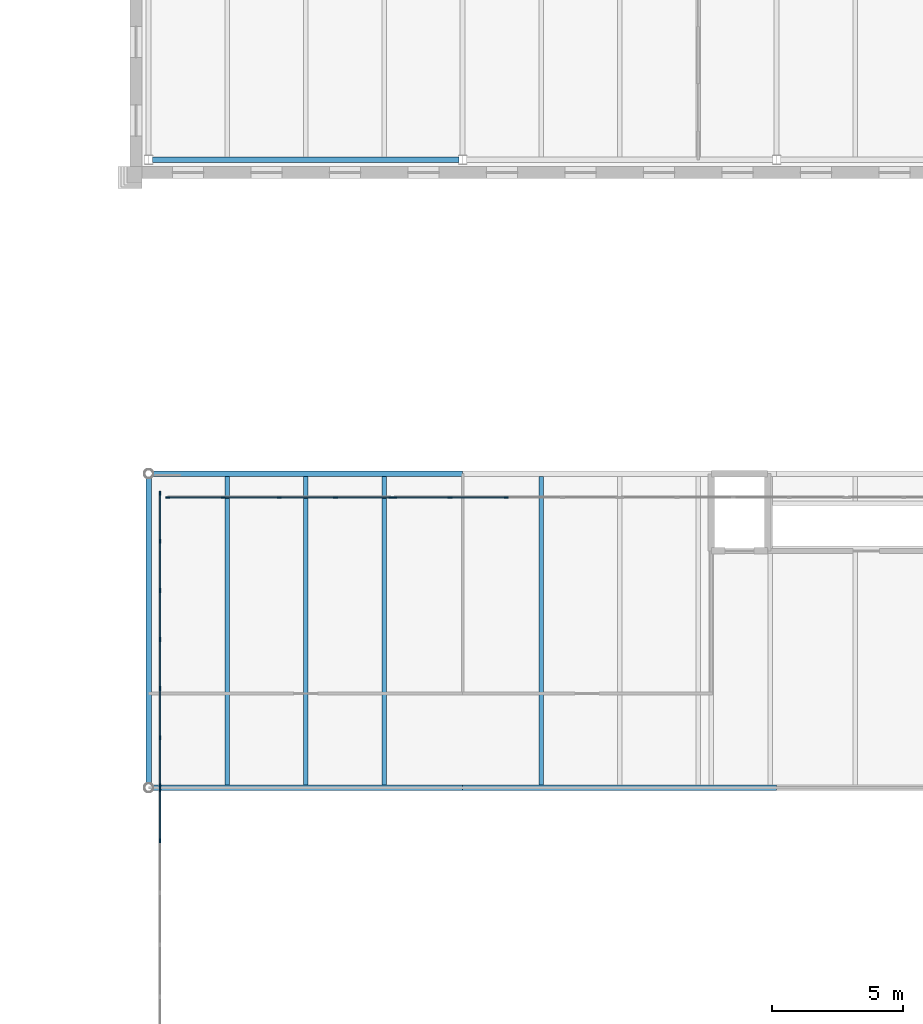
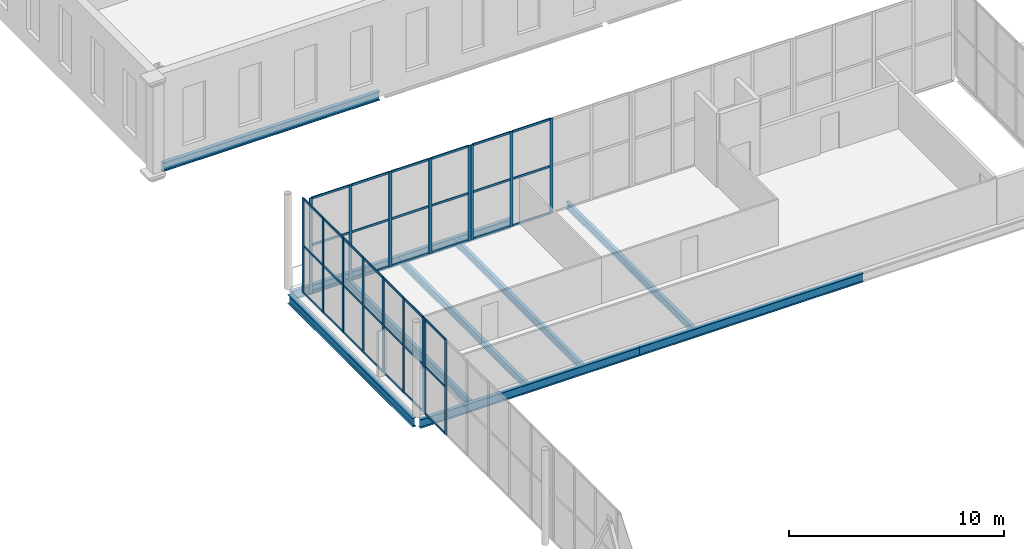
# One storey, part 81 of 170: 56 members, 9 beams, 4 elements without a shape of their own.
"""IFC4 building model written with IfcOpenShell, lengths in metres."""

from ifc_helpers import new_model, si_unit, direction, frame, origin, origin_2d, place, context, subcontext, project, spatial, rectangle, i_section, extrude, material, layer, layer_set, material_profile, profile_set, type_object, element, aggregate, save


model = new_model("IFC4")

# Units and contexts
model_context = context("Model", 3, precision=1e-05, world=origin(), true_north=direction((0.0, 1.0)))
body_context = subcontext(model_context, "Body", "Model", "MODEL_VIEW")
ifc_project = project(units=[si_unit("LENGTHUNIT", "METRE"), si_unit("AREAUNIT", "SQUARE_METRE"), si_unit("VOLUMEUNIT", "CUBIC_METRE"), si_unit("PLANEANGLEUNIT", "RADIAN"), si_unit("MASSUNIT", "GRAM", prefix="KILO")], contexts=[model_context])

# Site, building, storey
site_placement = place(None, origin())
site = spatial("IfcSite", under=ifc_project, at=site_placement, CompositionType="ELEMENT")
building_placement = place(site_placement, origin())
building = spatial("IfcBuilding", under=site, at=building_placement, Name="Ravi Spectrum Wholesale Market", CompositionType="ELEMENT")
storey_placement = place(building_placement, frame((0.0, 0.0, 5.39990234375)))
storey = spatial("IfcBuildingStorey", under=building, at=storey_placement, Name="L01", CompositionType="ELEMENT", Elevation=5.39990234375)

# Beams
ifc_material_1 = material(Name="Steel S355", Category="steel")
ifc_material_profile_1 = material_profile(ifc_material_1, i_section(OverallWidth=0.179931640625, OverallDepth=0.39990234375, WebThickness=0.008544921875, FlangeThickness=0.013427734375, at=origin_2d()))
ifc_profile_set_1 = profile_set([ifc_material_profile_1], Name="Steel S355")
beam_type_1 = type_object("IfcBeamType", Name="IPE 400 beam", PredefinedType="BEAM", material=ifc_profile_set_1)
for number, where, z_axis, x_axis, name in (
    (1, (165.0, 174.10009765625, -0.449951171875), (0.0, 1.0, 0.0), (-1.0, 0.0, 0.0), "H3-BM-L01-009"),
    (2, (168.0, 174.10009765625, -0.449951171875), (0.0, 1.0, 0.0), (-1.0, 0.0, 0.0), "H3-BM-L01-010"),
    (3, (171.0, 174.10009765625, -0.449951171875), (0.0, 1.0, 0.0), (-1.0, 0.0, 0.0), "H3-BM-L01-011"),
    (4, (177.0, 174.10009765625, -0.449951171875), (0.0, 1.0, 0.0), (-1.0, 0.0, 0.0), "H3-BM-L01-012"),
):
    element("IfcBeam", number, at=place(storey_placement, frame(where, z_axis=z_axis, x_axis=x_axis)), inside=storey, type_object=beam_type_1, Name=name, PredefinedType="BEAM", context=body_context, shape_type="SweptSolid", body=[
        extrude(i_section(OverallWidth=0.179931640625, OverallDepth=0.39990234375, WebThickness=0.008544921875, FlangeThickness=0.013427734375, at=origin_2d()), origin(), (0.0, 0.0, 1.0), 11.7998046875),
    ])
ifc_material_2 = material(Name="Steel S355", Category="steel")
ifc_material_profile_2 = material_profile(ifc_material_2, i_section(OverallWidth=0.199951171875, OverallDepth=0.5, WebThickness=0.01025390625, FlangeThickness=0.01611328125, at=origin_2d()))
ifc_profile_set_2 = profile_set([ifc_material_profile_2], Name="Steel S355")
beam_type_2 = type_object("IfcBeamType", Name="IPE 500 beam", PredefinedType="BEAM", material=ifc_profile_set_2)
beam_1_placement = place(storey_placement, frame((162.14990234375, 198.0, -0.449951171875), z_axis=(1.0, 0.0, 0.0), x_axis=(0.0, 1.0, 0.0)))
element("IfcBeam", 5, at=beam_1_placement, inside=storey, type_object=beam_type_2, Name="AU-BM-L01-001", PredefinedType="BEAM", context=body_context, shape_type="SweptSolid", body=[
    extrude(i_section(OverallWidth=0.199951171875, OverallDepth=0.5, WebThickness=0.01025390625, FlangeThickness=0.01611328125, at=origin_2d()), origin(), (0.0, 0.0, 1.0), 11.7001953125),
])
ifc_material_3 = material(Name="Steel S355", Category="steel")
ifc_material_profile_3 = material_profile(ifc_material_3, i_section(OverallWidth=0.199951171875, OverallDepth=0.5, WebThickness=0.01025390625, FlangeThickness=0.01611328125, at=origin_2d()))
ifc_profile_set_3 = profile_set([ifc_material_profile_3], Name="Steel S355")
beam_type_3 = type_object("IfcBeamType", Name="IPE 500 girder", PredefinedType="BEAM", material=ifc_profile_set_3)
beam_2_placement = place(storey_placement, frame((162.177734375, 174.0, -0.5), z_axis=(1.0, 0.0, 0.0), x_axis=(0.0, 1.0, 0.0)))
element("IfcBeam", 6, at=beam_2_placement, inside=storey, type_object=beam_type_3, Name="H3-BM-L01-001", PredefinedType="BEAM", context=body_context, shape_type="SweptSolid", body=[
    extrude(i_section(OverallWidth=0.199951171875, OverallDepth=0.5, WebThickness=0.01025390625, FlangeThickness=0.01611328125, at=origin_2d()), origin(), (0.0, 0.0, 1.0), 11.822265625),
])
beam_3_placement = place(storey_placement, frame((174.0, 174.0, -0.5), z_axis=(1.0, 0.0, 0.0), x_axis=(0.0, 1.0, 0.0)))
element("IfcBeam", 7, at=beam_3_placement, inside=storey, type_object=beam_type_3, Name="H3-BM-L01-002", PredefinedType="BEAM", context=body_context, shape_type="SweptSolid", body=[
    extrude(i_section(OverallWidth=0.199951171875, OverallDepth=0.5, WebThickness=0.01025390625, FlangeThickness=0.01611328125, at=origin_2d()), origin(), (0.0, 0.0, 1.0), 12.0),
])
beam_4_placement = place(storey_placement, frame((162.177734375, 186.0, -0.5), z_axis=(1.0, 0.0, 0.0), x_axis=(0.0, 1.0, 0.0)))
element("IfcBeam", 8, at=beam_4_placement, inside=storey, type_object=beam_type_3, Name="H3-BM-L01-004", PredefinedType="BEAM", context=body_context, shape_type="SweptSolid", body=[
    extrude(i_section(OverallWidth=0.199951171875, OverallDepth=0.5, WebThickness=0.01025390625, FlangeThickness=0.01611328125, at=origin_2d()), origin(), (0.0, 0.0, 1.0), 11.822265625),
])
beam_5_placement = place(storey_placement, frame((162.0, 174.177734375, -0.5), z_axis=(0.0, 1.0, 0.0), x_axis=(-1.0, 0.0, 0.0)))
element("IfcBeam", 9, at=beam_5_placement, inside=storey, type_object=beam_type_3, Name="H3-BM-L01-007", PredefinedType="BEAM", context=body_context, shape_type="SweptSolid", body=[
    extrude(i_section(OverallWidth=0.199951171875, OverallDepth=0.5, WebThickness=0.01025390625, FlangeThickness=0.01611328125, at=origin_2d()), origin(), (0.0, 0.0, 1.0), 11.64453125),
])

# Curtain wall, members
ifc_material_4 = material(Name="Aluminium 6063-T6", Category="aluminium")
ifc_layer = layer(ifc_material_4, 0.14990234375)
ifc_layer_set = layer_set([ifc_layer], Name="Aluminium 6063-T6")
curtain_wall_type = type_object("IfcCurtainWallType", Name="Curtain wall 150", PredefinedType="NOTDEFINED", material=ifc_layer_set)
curtain_wall_1_placement = place(storey_placement, origin())
curtain_wall_1 = element("IfcCurtainWall", 10, at=curtain_wall_1_placement, inside=storey, type_object=curtain_wall_type, Name="H3-CW-L01-003", PredefinedType="NOTDEFINED")
ifc_material_5 = material(Name="Aluminium 6063-T6", Category="aluminium")
ifc_material_profile_4 = material_profile(ifc_material_5, rectangle(XDim=0.06005859375, YDim=0.159912109375, at=origin_2d()))
ifc_profile_set_4 = profile_set([ifc_material_profile_4], Name="Aluminium 6063-T6")
member_type_1 = type_object("IfcMemberType", Name="Mullion 60 x 160", PredefinedType="MULLION", material=ifc_profile_set_4)
member_1_placement = place(storey_placement, frame((162.427734375, 171.973388671875, 0.0), z_axis=(0.0, 0.0, 1.0), x_axis=(-1.0, 0.0, 0.0)))
member_1 = element("IfcMember", 11, at=member_1_placement, type_object=member_type_1, Name="H3-CW-L01-003 mullion 6", PredefinedType="MULLION", context=body_context, shape_type="SweptSolid", body=[
    extrude(rectangle(XDim=0.06005859375, YDim=0.159912109375, at=origin_2d()), origin(), (0.0, 0.0, 1.0), 5.400146484375),
])
member_2_placement = place(storey_placement, frame((162.427734375, 173.929931640625, 0.0), z_axis=(0.0, 0.0, 1.0), x_axis=(-1.0, 0.0, 0.0)))
member_2 = element("IfcMember", 12, at=member_2_placement, type_object=member_type_1, Name="H3-CW-L01-003 mullion 7", PredefinedType="MULLION", context=body_context, shape_type="SweptSolid", body=[
    extrude(rectangle(XDim=0.06005859375, YDim=0.159912109375, at=origin_2d()), origin(), (0.0, 0.0, 1.0), 5.400146484375),
])

curtain_wall_2_placement = place(storey_placement, origin())
curtain_wall_2 = element("IfcCurtainWall", 13, at=curtain_wall_2_placement, inside=storey, type_object=curtain_wall_type, Name="H3-CW-L01-004", PredefinedType="NOTDEFINED")
member_3_placement = place(storey_placement, frame((162.427734375, 174.070068359375, 0.0), z_axis=(0.0, 0.0, 1.0), x_axis=(-1.0, 0.0, 0.0)))
member_3 = element("IfcMember", 14, at=member_3_placement, type_object=member_type_1, Name="H3-CW-L01-004 mullion 1", PredefinedType="MULLION", context=body_context, shape_type="SweptSolid", body=[
    extrude(rectangle(XDim=0.06005859375, YDim=0.159912109375, at=origin_2d()), origin(), (0.0, 0.0, 1.0), 5.400146484375),
])
member_4_placement = place(storey_placement, frame((162.427734375, 175.9150390625, 0.0), z_axis=(0.0, 0.0, 1.0), x_axis=(-1.0, 0.0, 0.0)))
member_4 = element("IfcMember", 15, at=member_4_placement, type_object=member_type_1, Name="H3-CW-L01-004 mullion 2", PredefinedType="MULLION", context=body_context, shape_type="SweptSolid", body=[
    extrude(rectangle(XDim=0.06005859375, YDim=0.159912109375, at=origin_2d()), origin(), (0.0, 0.0, 1.0), 5.400146484375),
])
member_5_placement = place(storey_placement, frame((162.427734375, 177.7900390625, 0.0), z_axis=(0.0, 0.0, 1.0), x_axis=(-1.0, 0.0, 0.0)))
member_5 = element("IfcMember", 16, at=member_5_placement, type_object=member_type_1, Name="H3-CW-L01-004 mullion 3", PredefinedType="MULLION", context=body_context, shape_type="SweptSolid", body=[
    extrude(rectangle(XDim=0.06005859375, YDim=0.159912109375, at=origin_2d()), origin(), (0.0, 0.0, 1.0), 5.400146484375),
])
member_6_placement = place(storey_placement, frame((162.427734375, 179.6650390625, 0.0), z_axis=(0.0, 0.0, 1.0), x_axis=(-1.0, 0.0, 0.0)))
member_6 = element("IfcMember", 17, at=member_6_placement, type_object=member_type_1, Name="H3-CW-L01-004 mullion 4", PredefinedType="MULLION", context=body_context, shape_type="SweptSolid", body=[
    extrude(rectangle(XDim=0.06005859375, YDim=0.159912109375, at=origin_2d()), origin(), (0.0, 0.0, 1.0), 5.400146484375),
])
member_7_placement = place(storey_placement, frame((162.427734375, 181.5400390625, 0.0), z_axis=(0.0, 0.0, 1.0), x_axis=(-1.0, 0.0, 0.0)))
member_7 = element("IfcMember", 18, at=member_7_placement, type_object=member_type_1, Name="H3-CW-L01-004 mullion 5", PredefinedType="MULLION", context=body_context, shape_type="SweptSolid", body=[
    extrude(rectangle(XDim=0.06005859375, YDim=0.159912109375, at=origin_2d()), origin(), (0.0, 0.0, 1.0), 5.400146484375),
])
member_8_placement = place(storey_placement, frame((162.427734375, 183.4150390625, 0.0), z_axis=(0.0, 0.0, 1.0), x_axis=(-1.0, 0.0, 0.0)))
member_8 = element("IfcMember", 19, at=member_8_placement, type_object=member_type_1, Name="H3-CW-L01-004 mullion 6", PredefinedType="MULLION", context=body_context, shape_type="SweptSolid", body=[
    extrude(rectangle(XDim=0.06005859375, YDim=0.159912109375, at=origin_2d()), origin(), (0.0, 0.0, 1.0), 5.400146484375),
])
member_9_placement = place(storey_placement, frame((162.427734375, 185.260009765625, 0.0), z_axis=(0.0, 0.0, 1.0), x_axis=(-1.0, 0.0, 0.0)))
member_9 = element("IfcMember", 20, at=member_9_placement, type_object=member_type_1, Name="H3-CW-L01-004 mullion 7", PredefinedType="MULLION", context=body_context, shape_type="SweptSolid", body=[
    extrude(rectangle(XDim=0.06005859375, YDim=0.159912109375, at=origin_2d()), origin(), (0.0, 0.0, 1.0), 5.400146484375),
])

curtain_wall_3_placement = place(storey_placement, origin())
curtain_wall_3 = element("IfcCurtainWall", 21, at=curtain_wall_3_placement, inside=storey, type_object=curtain_wall_type, Name="H3-CW-L01-013", PredefinedType="NOTDEFINED")
member_10_placement = place(storey_placement, frame((162.727783203125, 185.10009765625, 0.0), z_axis=(0.0, 0.0, 1.0), x_axis=(0.0, 1.0, 0.0)))
member_10 = element("IfcMember", 22, at=member_10_placement, type_object=member_type_1, Name="H3-CW-L01-013 mullion 1", PredefinedType="MULLION", context=body_context, shape_type="SweptSolid", body=[
    extrude(rectangle(XDim=0.06005859375, YDim=0.159912109375, at=origin_2d()), origin(), (0.0, 0.0, 1.0), 5.400146484375),
])
member_11_placement = place(storey_placement, frame((164.845458984375, 185.10009765625, 0.0), z_axis=(0.0, 0.0, 1.0), x_axis=(0.0, 1.0, 0.0)))
member_11 = element("IfcMember", 23, at=member_11_placement, type_object=member_type_1, Name="H3-CW-L01-013 mullion 2", PredefinedType="MULLION", context=body_context, shape_type="SweptSolid", body=[
    extrude(rectangle(XDim=0.06005859375, YDim=0.159912109375, at=origin_2d()), origin(), (0.0, 0.0, 1.0), 5.400146484375),
])
member_12_placement = place(storey_placement, frame((166.993408203125, 185.10009765625, 0.0), z_axis=(0.0, 0.0, 1.0), x_axis=(0.0, 1.0, 0.0)))
member_12 = element("IfcMember", 24, at=member_12_placement, type_object=member_type_1, Name="H3-CW-L01-013 mullion 3", PredefinedType="MULLION", context=body_context, shape_type="SweptSolid", body=[
    extrude(rectangle(XDim=0.06005859375, YDim=0.159912109375, at=origin_2d()), origin(), (0.0, 0.0, 1.0), 5.400146484375),
])
member_13_placement = place(storey_placement, frame((169.14111328125, 185.10009765625, 0.0), z_axis=(0.0, 0.0, 1.0), x_axis=(0.0, 1.0, 0.0)))
member_13 = element("IfcMember", 25, at=member_13_placement, type_object=member_type_1, Name="H3-CW-L01-013 mullion 4", PredefinedType="MULLION", context=body_context, shape_type="SweptSolid", body=[
    extrude(rectangle(XDim=0.06005859375, YDim=0.159912109375, at=origin_2d()), origin(), (0.0, 0.0, 1.0), 5.400146484375),
])
member_14_placement = place(storey_placement, frame((171.2587890625, 185.10009765625, 0.0), z_axis=(0.0, 0.0, 1.0), x_axis=(0.0, 1.0, 0.0)))
member_14 = element("IfcMember", 26, at=member_14_placement, type_object=member_type_1, Name="H3-CW-L01-013 mullion 5", PredefinedType="MULLION", context=body_context, shape_type="SweptSolid", body=[
    extrude(rectangle(XDim=0.06005859375, YDim=0.159912109375, at=origin_2d()), origin(), (0.0, 0.0, 1.0), 5.400146484375),
])

curtain_wall_4_placement = place(storey_placement, origin())
curtain_wall_4 = element("IfcCurtainWall", 27, at=curtain_wall_4_placement, inside=storey, type_object=curtain_wall_type, Name="H3-CW-L01-014", PredefinedType="NOTDEFINED")
member_15_placement = place(storey_placement, frame((171.39892578125, 185.10009765625, 0.0), z_axis=(0.0, 0.0, 1.0), x_axis=(0.0, 1.0, 0.0)))
member_15 = element("IfcMember", 28, at=member_15_placement, type_object=member_type_1, Name="H3-CW-L01-014 mullion 1", PredefinedType="MULLION", context=body_context, shape_type="SweptSolid", body=[
    extrude(rectangle(XDim=0.06005859375, YDim=0.159912109375, at=origin_2d()), origin(), (0.0, 0.0, 1.0), 5.400146484375),
])
member_16_placement = place(storey_placement, frame((173.5166015625, 185.10009765625, 0.0), z_axis=(0.0, 0.0, 1.0), x_axis=(0.0, 1.0, 0.0)))
member_16 = element("IfcMember", 29, at=member_16_placement, type_object=member_type_1, Name="H3-CW-L01-014 mullion 2", PredefinedType="MULLION", context=body_context, shape_type="SweptSolid", body=[
    extrude(rectangle(XDim=0.06005859375, YDim=0.159912109375, at=origin_2d()), origin(), (0.0, 0.0, 1.0), 5.400146484375),
])
member_17_placement = place(storey_placement, frame((175.66455078125, 185.10009765625, 0.0), z_axis=(0.0, 0.0, 1.0), x_axis=(0.0, 1.0, 0.0)))
member_17 = element("IfcMember", 30, at=member_17_placement, type_object=member_type_1, Name="H3-CW-L01-014 mullion 3", PredefinedType="MULLION", context=body_context, shape_type="SweptSolid", body=[
    extrude(rectangle(XDim=0.06005859375, YDim=0.159912109375, at=origin_2d()), origin(), (0.0, 0.0, 1.0), 5.400146484375),
])

# Member
ifc_material_6 = material(Name="Aluminium 6063-T6", Category="aluminium")
ifc_material_profile_5 = material_profile(ifc_material_6, rectangle(XDim=0.06005859375, YDim=0.1201171875, at=origin_2d()))
ifc_profile_set_5 = profile_set([ifc_material_profile_5], Name="Aluminium 6063-T6")
member_type_2 = type_object("IfcMemberType", Name="Transom 60 x 120", PredefinedType="USERDEFINED", material=ifc_profile_set_5)
member_18_placement = place(storey_placement, frame((162.427734375, 172.00341796875, 0.030029296875), z_axis=(0.0, 1.0, 0.0), x_axis=(-1.0, 0.0, 0.0)))
member_18 = element("IfcMember", 31, at=member_18_placement, type_object=member_type_2, Name="H3-CW-L01-003 transom 6.1", ObjectType="TRANSOM", PredefinedType="USERDEFINED", context=body_context, shape_type="SweptSolid", body=[
    extrude(rectangle(XDim=0.06005859375, YDim=0.1201171875, at=origin_2d()), origin(), (0.0, 0.0, 1.0), 1.896484375),
])

member_19_placement = place(storey_placement, frame((162.427734375, 172.00341796875, 2.7001953125), z_axis=(0.0, 1.0, 0.0), x_axis=(-1.0, 0.0, 0.0)))
member_19 = element("IfcMember", 32, at=member_19_placement, type_object=member_type_2, Name="H3-CW-L01-003 transom 6.2", ObjectType="TRANSOM", PredefinedType="USERDEFINED", context=body_context, shape_type="SweptSolid", body=[
    extrude(rectangle(XDim=0.06005859375, YDim=0.1201171875, at=origin_2d()), origin(), (0.0, 0.0, 1.0), 1.896484375),
])

member_20_placement = place(storey_placement, frame((162.427734375, 172.00341796875, 5.3701171875), z_axis=(0.0, 1.0, 0.0), x_axis=(-1.0, 0.0, 0.0)))
member_20 = element("IfcMember", 33, at=member_20_placement, type_object=member_type_2, Name="H3-CW-L01-003 transom 6.3", ObjectType="TRANSOM", PredefinedType="USERDEFINED", context=body_context, shape_type="SweptSolid", body=[
    extrude(rectangle(XDim=0.06005859375, YDim=0.1201171875, at=origin_2d()), origin(), (0.0, 0.0, 1.0), 1.896484375),
])

aggregate(curtain_wall_1, [member_1, member_2, member_18, member_19, member_20])

member_21_placement = place(storey_placement, frame((162.427734375, 174.10009765625, 0.030029296875), z_axis=(0.0, 1.0, 0.0), x_axis=(-1.0, 0.0, 0.0)))
member_21 = element("IfcMember", 34, at=member_21_placement, type_object=member_type_2, Name="H3-CW-L01-004 transom 1.1", ObjectType="TRANSOM", PredefinedType="USERDEFINED", context=body_context, shape_type="SweptSolid", body=[
    extrude(rectangle(XDim=0.06005859375, YDim=0.1201171875, at=origin_2d()), origin(), (0.0, 0.0, 1.0), 1.784912109375),
])

member_22_placement = place(storey_placement, frame((162.427734375, 174.10009765625, 2.7001953125), z_axis=(0.0, 1.0, 0.0), x_axis=(-1.0, 0.0, 0.0)))
member_22 = element("IfcMember", 35, at=member_22_placement, type_object=member_type_2, Name="H3-CW-L01-004 transom 1.2", ObjectType="TRANSOM", PredefinedType="USERDEFINED", context=body_context, shape_type="SweptSolid", body=[
    extrude(rectangle(XDim=0.06005859375, YDim=0.1201171875, at=origin_2d()), origin(), (0.0, 0.0, 1.0), 1.784912109375),
])

member_23_placement = place(storey_placement, frame((162.427734375, 174.10009765625, 5.3701171875), z_axis=(0.0, 1.0, 0.0), x_axis=(-1.0, 0.0, 0.0)))
member_23 = element("IfcMember", 36, at=member_23_placement, type_object=member_type_2, Name="H3-CW-L01-004 transom 1.3", ObjectType="TRANSOM", PredefinedType="USERDEFINED", context=body_context, shape_type="SweptSolid", body=[
    extrude(rectangle(XDim=0.06005859375, YDim=0.1201171875, at=origin_2d()), origin(), (0.0, 0.0, 1.0), 1.784912109375),
])

member_24_placement = place(storey_placement, frame((162.427734375, 175.945068359375, 0.030029296875), z_axis=(0.0, 1.0, 0.0), x_axis=(-1.0, 0.0, 0.0)))
member_24 = element("IfcMember", 37, at=member_24_placement, type_object=member_type_2, Name="H3-CW-L01-004 transom 2.1", ObjectType="TRANSOM", PredefinedType="USERDEFINED", context=body_context, shape_type="SweptSolid", body=[
    extrude(rectangle(XDim=0.06005859375, YDim=0.1201171875, at=origin_2d()), origin(), (0.0, 0.0, 1.0), 1.81494140625),
])

member_25_placement = place(storey_placement, frame((162.427734375, 175.945068359375, 2.7001953125), z_axis=(0.0, 1.0, 0.0), x_axis=(-1.0, 0.0, 0.0)))
member_25 = element("IfcMember", 38, at=member_25_placement, type_object=member_type_2, Name="H3-CW-L01-004 transom 2.2", ObjectType="TRANSOM", PredefinedType="USERDEFINED", context=body_context, shape_type="SweptSolid", body=[
    extrude(rectangle(XDim=0.06005859375, YDim=0.1201171875, at=origin_2d()), origin(), (0.0, 0.0, 1.0), 1.81494140625),
])

member_26_placement = place(storey_placement, frame((162.427734375, 175.945068359375, 5.3701171875), z_axis=(0.0, 1.0, 0.0), x_axis=(-1.0, 0.0, 0.0)))
member_26 = element("IfcMember", 39, at=member_26_placement, type_object=member_type_2, Name="H3-CW-L01-004 transom 2.3", ObjectType="TRANSOM", PredefinedType="USERDEFINED", context=body_context, shape_type="SweptSolid", body=[
    extrude(rectangle(XDim=0.06005859375, YDim=0.1201171875, at=origin_2d()), origin(), (0.0, 0.0, 1.0), 1.81494140625),
])

member_27_placement = place(storey_placement, frame((162.427734375, 177.820068359375, 0.030029296875), z_axis=(0.0, 1.0, 0.0), x_axis=(-1.0, 0.0, 0.0)))
member_27 = element("IfcMember", 40, at=member_27_placement, type_object=member_type_2, Name="H3-CW-L01-004 transom 3.1", ObjectType="TRANSOM", PredefinedType="USERDEFINED", context=body_context, shape_type="SweptSolid", body=[
    extrude(rectangle(XDim=0.06005859375, YDim=0.1201171875, at=origin_2d()), origin(), (0.0, 0.0, 1.0), 1.81494140625),
])

member_28_placement = place(storey_placement, frame((162.427734375, 177.820068359375, 2.7001953125), z_axis=(0.0, 1.0, 0.0), x_axis=(-1.0, 0.0, 0.0)))
member_28 = element("IfcMember", 41, at=member_28_placement, type_object=member_type_2, Name="H3-CW-L01-004 transom 3.2", ObjectType="TRANSOM", PredefinedType="USERDEFINED", context=body_context, shape_type="SweptSolid", body=[
    extrude(rectangle(XDim=0.06005859375, YDim=0.1201171875, at=origin_2d()), origin(), (0.0, 0.0, 1.0), 1.81494140625),
])

member_29_placement = place(storey_placement, frame((162.427734375, 177.820068359375, 5.3701171875), z_axis=(0.0, 1.0, 0.0), x_axis=(-1.0, 0.0, 0.0)))
member_29 = element("IfcMember", 42, at=member_29_placement, type_object=member_type_2, Name="H3-CW-L01-004 transom 3.3", ObjectType="TRANSOM", PredefinedType="USERDEFINED", context=body_context, shape_type="SweptSolid", body=[
    extrude(rectangle(XDim=0.06005859375, YDim=0.1201171875, at=origin_2d()), origin(), (0.0, 0.0, 1.0), 1.81494140625),
])

member_30_placement = place(storey_placement, frame((162.427734375, 179.695068359375, 0.030029296875), z_axis=(0.0, 1.0, 0.0), x_axis=(-1.0, 0.0, 0.0)))
member_30 = element("IfcMember", 43, at=member_30_placement, type_object=member_type_2, Name="H3-CW-L01-004 transom 4.1", ObjectType="TRANSOM", PredefinedType="USERDEFINED", context=body_context, shape_type="SweptSolid", body=[
    extrude(rectangle(XDim=0.06005859375, YDim=0.1201171875, at=origin_2d()), origin(), (0.0, 0.0, 1.0), 1.81494140625),
])

member_31_placement = place(storey_placement, frame((162.427734375, 179.695068359375, 2.7001953125), z_axis=(0.0, 1.0, 0.0), x_axis=(-1.0, 0.0, 0.0)))
member_31 = element("IfcMember", 44, at=member_31_placement, type_object=member_type_2, Name="H3-CW-L01-004 transom 4.2", ObjectType="TRANSOM", PredefinedType="USERDEFINED", context=body_context, shape_type="SweptSolid", body=[
    extrude(rectangle(XDim=0.06005859375, YDim=0.1201171875, at=origin_2d()), origin(), (0.0, 0.0, 1.0), 1.81494140625),
])

member_32_placement = place(storey_placement, frame((162.427734375, 179.695068359375, 5.3701171875), z_axis=(0.0, 1.0, 0.0), x_axis=(-1.0, 0.0, 0.0)))
member_32 = element("IfcMember", 45, at=member_32_placement, type_object=member_type_2, Name="H3-CW-L01-004 transom 4.3", ObjectType="TRANSOM", PredefinedType="USERDEFINED", context=body_context, shape_type="SweptSolid", body=[
    extrude(rectangle(XDim=0.06005859375, YDim=0.1201171875, at=origin_2d()), origin(), (0.0, 0.0, 1.0), 1.81494140625),
])

member_33_placement = place(storey_placement, frame((162.427734375, 181.570068359375, 0.030029296875), z_axis=(0.0, 1.0, 0.0), x_axis=(-1.0, 0.0, 0.0)))
member_33 = element("IfcMember", 46, at=member_33_placement, type_object=member_type_2, Name="H3-CW-L01-004 transom 5.1", ObjectType="TRANSOM", PredefinedType="USERDEFINED", context=body_context, shape_type="SweptSolid", body=[
    extrude(rectangle(XDim=0.06005859375, YDim=0.1201171875, at=origin_2d()), origin(), (0.0, 0.0, 1.0), 1.81494140625),
])

member_34_placement = place(storey_placement, frame((162.427734375, 181.570068359375, 2.7001953125), z_axis=(0.0, 1.0, 0.0), x_axis=(-1.0, 0.0, 0.0)))
member_34 = element("IfcMember", 47, at=member_34_placement, type_object=member_type_2, Name="H3-CW-L01-004 transom 5.2", ObjectType="TRANSOM", PredefinedType="USERDEFINED", context=body_context, shape_type="SweptSolid", body=[
    extrude(rectangle(XDim=0.06005859375, YDim=0.1201171875, at=origin_2d()), origin(), (0.0, 0.0, 1.0), 1.81494140625),
])

member_35_placement = place(storey_placement, frame((162.427734375, 181.570068359375, 5.3701171875), z_axis=(0.0, 1.0, 0.0), x_axis=(-1.0, 0.0, 0.0)))
member_35 = element("IfcMember", 48, at=member_35_placement, type_object=member_type_2, Name="H3-CW-L01-004 transom 5.3", ObjectType="TRANSOM", PredefinedType="USERDEFINED", context=body_context, shape_type="SweptSolid", body=[
    extrude(rectangle(XDim=0.06005859375, YDim=0.1201171875, at=origin_2d()), origin(), (0.0, 0.0, 1.0), 1.81494140625),
])

member_36_placement = place(storey_placement, frame((162.427734375, 183.445068359375, 0.030029296875), z_axis=(0.0, 1.0, 0.0), x_axis=(-1.0, 0.0, 0.0)))
member_36 = element("IfcMember", 49, at=member_36_placement, type_object=member_type_2, Name="H3-CW-L01-004 transom 6.1", ObjectType="TRANSOM", PredefinedType="USERDEFINED", context=body_context, shape_type="SweptSolid", body=[
    extrude(rectangle(XDim=0.06005859375, YDim=0.1201171875, at=origin_2d()), origin(), (0.0, 0.0, 1.0), 1.784912109375),
])

member_37_placement = place(storey_placement, frame((162.427734375, 183.445068359375, 2.7001953125), z_axis=(0.0, 1.0, 0.0), x_axis=(-1.0, 0.0, 0.0)))
member_37 = element("IfcMember", 50, at=member_37_placement, type_object=member_type_2, Name="H3-CW-L01-004 transom 6.2", ObjectType="TRANSOM", PredefinedType="USERDEFINED", context=body_context, shape_type="SweptSolid", body=[
    extrude(rectangle(XDim=0.06005859375, YDim=0.1201171875, at=origin_2d()), origin(), (0.0, 0.0, 1.0), 1.784912109375),
])

member_38_placement = place(storey_placement, frame((162.427734375, 183.445068359375, 5.3701171875), z_axis=(0.0, 1.0, 0.0), x_axis=(-1.0, 0.0, 0.0)))
member_38 = element("IfcMember", 51, at=member_38_placement, type_object=member_type_2, Name="H3-CW-L01-004 transom 6.3", ObjectType="TRANSOM", PredefinedType="USERDEFINED", context=body_context, shape_type="SweptSolid", body=[
    extrude(rectangle(XDim=0.06005859375, YDim=0.1201171875, at=origin_2d()), origin(), (0.0, 0.0, 1.0), 1.784912109375),
])

aggregate(curtain_wall_2, [member_3, member_4, member_5, member_6, member_7, member_8, member_9, member_21, member_22, member_23, member_24, member_25, member_26, member_27, member_28, member_29, member_30, member_31, member_32, member_33, member_34, member_35, member_36, member_37, member_38])

member_39_placement = place(storey_placement, frame((162.7578125, 185.10009765625, 0.030029296875), z_axis=(1.0, 0.0, 0.0), x_axis=(0.0, 1.0, 0.0)))
member_39 = element("IfcMember", 52, at=member_39_placement, type_object=member_type_2, Name="H3-CW-L01-013 transom 1.1", ObjectType="TRANSOM", PredefinedType="USERDEFINED", context=body_context, shape_type="SweptSolid", body=[
    extrude(rectangle(XDim=0.06005859375, YDim=0.1201171875, at=origin_2d()), origin(), (0.0, 0.0, 1.0), 2.057861328125),
])

member_40_placement = place(storey_placement, frame((162.7578125, 185.10009765625, 2.7001953125), z_axis=(1.0, 0.0, 0.0), x_axis=(0.0, 1.0, 0.0)))
member_40 = element("IfcMember", 53, at=member_40_placement, type_object=member_type_2, Name="H3-CW-L01-013 transom 1.2", ObjectType="TRANSOM", PredefinedType="USERDEFINED", context=body_context, shape_type="SweptSolid", body=[
    extrude(rectangle(XDim=0.06005859375, YDim=0.1201171875, at=origin_2d()), origin(), (0.0, 0.0, 1.0), 2.057861328125),
])

member_41_placement = place(storey_placement, frame((162.7578125, 185.10009765625, 5.3701171875), z_axis=(1.0, 0.0, 0.0), x_axis=(0.0, 1.0, 0.0)))
member_41 = element("IfcMember", 54, at=member_41_placement, type_object=member_type_2, Name="H3-CW-L01-013 transom 1.3", ObjectType="TRANSOM", PredefinedType="USERDEFINED", context=body_context, shape_type="SweptSolid", body=[
    extrude(rectangle(XDim=0.06005859375, YDim=0.1201171875, at=origin_2d()), origin(), (0.0, 0.0, 1.0), 2.057861328125),
])

member_42_placement = place(storey_placement, frame((164.87548828125, 185.10009765625, 0.030029296875), z_axis=(1.0, 0.0, 0.0), x_axis=(0.0, 1.0, 0.0)))
member_42 = element("IfcMember", 55, at=member_42_placement, type_object=member_type_2, Name="H3-CW-L01-013 transom 2.1", ObjectType="TRANSOM", PredefinedType="USERDEFINED", context=body_context, shape_type="SweptSolid", body=[
    extrude(rectangle(XDim=0.06005859375, YDim=0.1201171875, at=origin_2d()), origin(), (0.0, 0.0, 1.0), 2.087890625),
])

member_43_placement = place(storey_placement, frame((164.87548828125, 185.10009765625, 2.7001953125), z_axis=(1.0, 0.0, 0.0), x_axis=(0.0, 1.0, 0.0)))
member_43 = element("IfcMember", 56, at=member_43_placement, type_object=member_type_2, Name="H3-CW-L01-013 transom 2.2", ObjectType="TRANSOM", PredefinedType="USERDEFINED", context=body_context, shape_type="SweptSolid", body=[
    extrude(rectangle(XDim=0.06005859375, YDim=0.1201171875, at=origin_2d()), origin(), (0.0, 0.0, 1.0), 2.087890625),
])

member_44_placement = place(storey_placement, frame((164.87548828125, 185.10009765625, 5.3701171875), z_axis=(1.0, 0.0, 0.0), x_axis=(0.0, 1.0, 0.0)))
member_44 = element("IfcMember", 57, at=member_44_placement, type_object=member_type_2, Name="H3-CW-L01-013 transom 2.3", ObjectType="TRANSOM", PredefinedType="USERDEFINED", context=body_context, shape_type="SweptSolid", body=[
    extrude(rectangle(XDim=0.06005859375, YDim=0.1201171875, at=origin_2d()), origin(), (0.0, 0.0, 1.0), 2.087890625),
])

member_45_placement = place(storey_placement, frame((167.0234375, 185.10009765625, 0.030029296875), z_axis=(1.0, 0.0, 0.0), x_axis=(0.0, 1.0, 0.0)))
member_45 = element("IfcMember", 58, at=member_45_placement, type_object=member_type_2, Name="H3-CW-L01-013 transom 3.1", ObjectType="TRANSOM", PredefinedType="USERDEFINED", context=body_context, shape_type="SweptSolid", body=[
    extrude(rectangle(XDim=0.06005859375, YDim=0.1201171875, at=origin_2d()), origin(), (0.0, 0.0, 1.0), 2.087646484375),
])

member_46_placement = place(storey_placement, frame((167.0234375, 185.10009765625, 2.7001953125), z_axis=(1.0, 0.0, 0.0), x_axis=(0.0, 1.0, 0.0)))
member_46 = element("IfcMember", 59, at=member_46_placement, type_object=member_type_2, Name="H3-CW-L01-013 transom 3.2", ObjectType="TRANSOM", PredefinedType="USERDEFINED", context=body_context, shape_type="SweptSolid", body=[
    extrude(rectangle(XDim=0.06005859375, YDim=0.1201171875, at=origin_2d()), origin(), (0.0, 0.0, 1.0), 2.087646484375),
])

member_47_placement = place(storey_placement, frame((167.0234375, 185.10009765625, 5.3701171875), z_axis=(1.0, 0.0, 0.0), x_axis=(0.0, 1.0, 0.0)))
member_47 = element("IfcMember", 60, at=member_47_placement, type_object=member_type_2, Name="H3-CW-L01-013 transom 3.3", ObjectType="TRANSOM", PredefinedType="USERDEFINED", context=body_context, shape_type="SweptSolid", body=[
    extrude(rectangle(XDim=0.06005859375, YDim=0.1201171875, at=origin_2d()), origin(), (0.0, 0.0, 1.0), 2.087646484375),
])

member_48_placement = place(storey_placement, frame((169.171142578125, 185.10009765625, 0.030029296875), z_axis=(1.0, 0.0, 0.0), x_axis=(0.0, 1.0, 0.0)))
member_48 = element("IfcMember", 61, at=member_48_placement, type_object=member_type_2, Name="H3-CW-L01-013 transom 4.1", ObjectType="TRANSOM", PredefinedType="USERDEFINED", context=body_context, shape_type="SweptSolid", body=[
    extrude(rectangle(XDim=0.06005859375, YDim=0.1201171875, at=origin_2d()), origin(), (0.0, 0.0, 1.0), 2.057861328125),
])

member_49_placement = place(storey_placement, frame((169.171142578125, 185.10009765625, 2.7001953125), z_axis=(1.0, 0.0, 0.0), x_axis=(0.0, 1.0, 0.0)))
member_49 = element("IfcMember", 62, at=member_49_placement, type_object=member_type_2, Name="H3-CW-L01-013 transom 4.2", ObjectType="TRANSOM", PredefinedType="USERDEFINED", context=body_context, shape_type="SweptSolid", body=[
    extrude(rectangle(XDim=0.06005859375, YDim=0.1201171875, at=origin_2d()), origin(), (0.0, 0.0, 1.0), 2.057861328125),
])

member_50_placement = place(storey_placement, frame((169.171142578125, 185.10009765625, 5.3701171875), z_axis=(1.0, 0.0, 0.0), x_axis=(0.0, 1.0, 0.0)))
member_50 = element("IfcMember", 63, at=member_50_placement, type_object=member_type_2, Name="H3-CW-L01-013 transom 4.3", ObjectType="TRANSOM", PredefinedType="USERDEFINED", context=body_context, shape_type="SweptSolid", body=[
    extrude(rectangle(XDim=0.06005859375, YDim=0.1201171875, at=origin_2d()), origin(), (0.0, 0.0, 1.0), 2.057861328125),
])

aggregate(curtain_wall_3, [member_10, member_11, member_12, member_13, member_14, member_39, member_40, member_41, member_42, member_43, member_44, member_45, member_46, member_47, member_48, member_49, member_50])

member_51_placement = place(storey_placement, frame((171.428955078125, 185.10009765625, 0.030029296875), z_axis=(1.0, 0.0, 0.0), x_axis=(0.0, 1.0, 0.0)))
member_51 = element("IfcMember", 64, at=member_51_placement, type_object=member_type_2, Name="H3-CW-L01-014 transom 1.1", ObjectType="TRANSOM", PredefinedType="USERDEFINED", context=body_context, shape_type="SweptSolid", body=[
    extrude(rectangle(XDim=0.06005859375, YDim=0.1201171875, at=origin_2d()), origin(), (0.0, 0.0, 1.0), 2.0576171875),
])

member_52_placement = place(storey_placement, frame((171.428955078125, 185.10009765625, 2.7001953125), z_axis=(1.0, 0.0, 0.0), x_axis=(0.0, 1.0, 0.0)))
member_52 = element("IfcMember", 65, at=member_52_placement, type_object=member_type_2, Name="H3-CW-L01-014 transom 1.2", ObjectType="TRANSOM", PredefinedType="USERDEFINED", context=body_context, shape_type="SweptSolid", body=[
    extrude(rectangle(XDim=0.06005859375, YDim=0.1201171875, at=origin_2d()), origin(), (0.0, 0.0, 1.0), 2.0576171875),
])

member_53_placement = place(storey_placement, frame((171.428955078125, 185.10009765625, 5.3701171875), z_axis=(1.0, 0.0, 0.0), x_axis=(0.0, 1.0, 0.0)))
member_53 = element("IfcMember", 66, at=member_53_placement, type_object=member_type_2, Name="H3-CW-L01-014 transom 1.3", ObjectType="TRANSOM", PredefinedType="USERDEFINED", context=body_context, shape_type="SweptSolid", body=[
    extrude(rectangle(XDim=0.06005859375, YDim=0.1201171875, at=origin_2d()), origin(), (0.0, 0.0, 1.0), 2.0576171875),
])

member_54_placement = place(storey_placement, frame((173.546630859375, 185.10009765625, 0.030029296875), z_axis=(1.0, 0.0, 0.0), x_axis=(0.0, 1.0, 0.0)))
member_54 = element("IfcMember", 67, at=member_54_placement, type_object=member_type_2, Name="H3-CW-L01-014 transom 2.1", ObjectType="TRANSOM", PredefinedType="USERDEFINED", context=body_context, shape_type="SweptSolid", body=[
    extrude(rectangle(XDim=0.06005859375, YDim=0.1201171875, at=origin_2d()), origin(), (0.0, 0.0, 1.0), 2.087890625),
])

member_55_placement = place(storey_placement, frame((173.546630859375, 185.10009765625, 2.7001953125), z_axis=(1.0, 0.0, 0.0), x_axis=(0.0, 1.0, 0.0)))
member_55 = element("IfcMember", 68, at=member_55_placement, type_object=member_type_2, Name="H3-CW-L01-014 transom 2.2", ObjectType="TRANSOM", PredefinedType="USERDEFINED", context=body_context, shape_type="SweptSolid", body=[
    extrude(rectangle(XDim=0.06005859375, YDim=0.1201171875, at=origin_2d()), origin(), (0.0, 0.0, 1.0), 2.087890625),
])

member_56_placement = place(storey_placement, frame((173.546630859375, 185.10009765625, 5.3701171875), z_axis=(1.0, 0.0, 0.0), x_axis=(0.0, 1.0, 0.0)))
member_56 = element("IfcMember", 69, at=member_56_placement, type_object=member_type_2, Name="H3-CW-L01-014 transom 2.3", ObjectType="TRANSOM", PredefinedType="USERDEFINED", context=body_context, shape_type="SweptSolid", body=[
    extrude(rectangle(XDim=0.06005859375, YDim=0.1201171875, at=origin_2d()), origin(), (0.0, 0.0, 1.0), 2.087890625),
])

aggregate(curtain_wall_4, [member_15, member_16, member_17, member_51, member_52, member_53, member_54, member_55, member_56])

save(model, "model.ifc")
